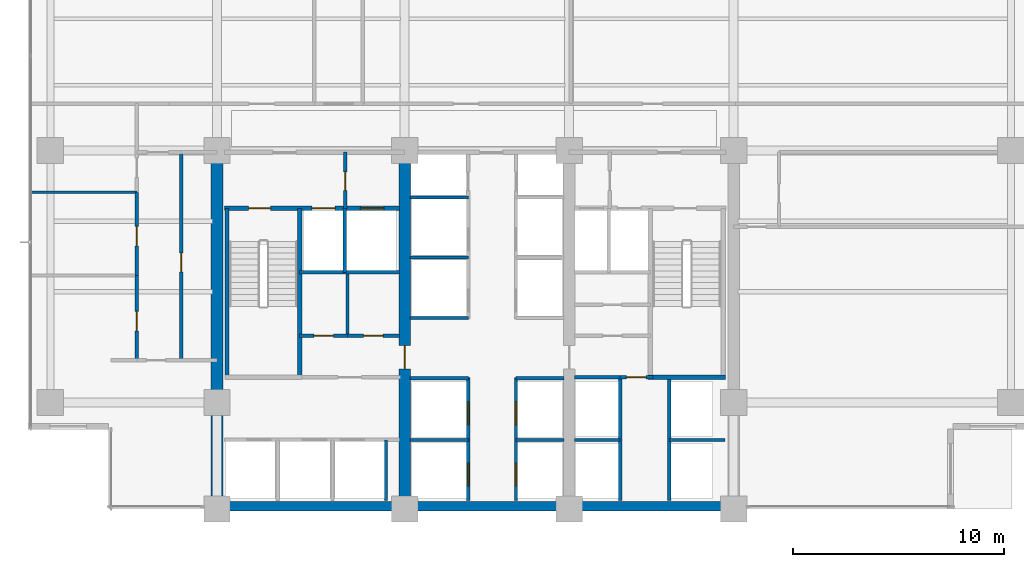
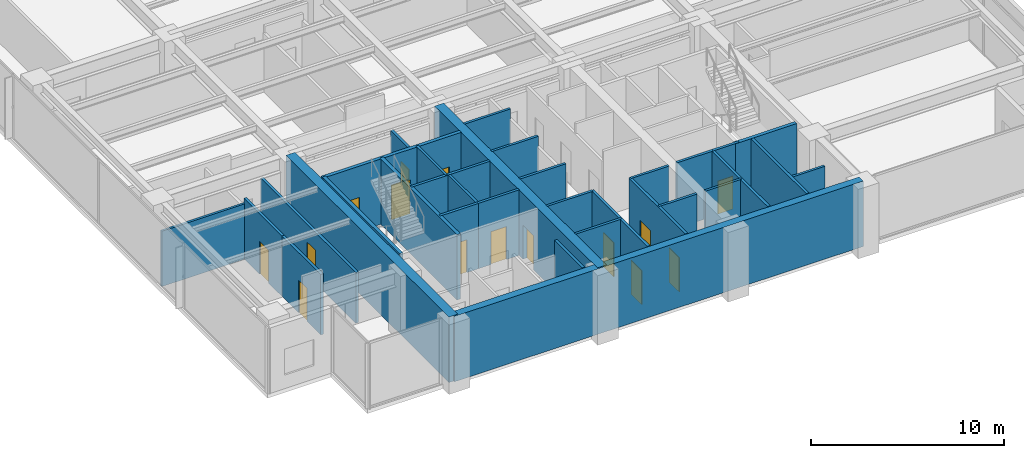
# One storey, part 8 of 16: 33 walls, 15 doors, 15 openings.
"""IFC4 building model written with IfcOpenShell, lengths in metres."""

from ifc_helpers import new_model, si_unit, direction, frame, frame_2d, origin, place, context, subcontext, project, spatial, rectangle, extrude, material, layer, layer_set, type_object, element, fill, save


model = new_model("IFC4")

# Units and contexts
model_context = context("Model", 3, precision=1e-05, world=origin(), true_north=direction((0.0, 1.0)))
body_context = subcontext(model_context, "Body", "Model", "MODEL_VIEW")
ifc_project = project(units=[si_unit("LENGTHUNIT", "METRE"), si_unit("AREAUNIT", "SQUARE_METRE"), si_unit("VOLUMEUNIT", "CUBIC_METRE"), si_unit("PLANEANGLEUNIT", "RADIAN"), si_unit("MASSUNIT", "GRAM", prefix="KILO")], contexts=[model_context])

# Site, building, storey
site_placement = place(None, origin())
site = spatial("IfcSite", under=ifc_project, at=site_placement, CompositionType="ELEMENT")
building_placement = place(site_placement, origin())
building = spatial("IfcBuilding", under=site, at=building_placement, Name="Qalmaran Belvedere Hotel", CompositionType="ELEMENT")
storey_placement = place(building_placement, frame((0.0, 0.0, 83.800048828125)))
storey = spatial("IfcBuildingStorey", under=building, at=storey_placement, Name="L20", CompositionType="ELEMENT", Elevation=83.800048828125)

# Wall
ifc_material_1 = material(Name="Concrete C60/75", Category="concrete")
ifc_layer_1 = layer(ifc_material_1, 0.550048828125, Name="Concrete C60/75")
ifc_layer_set_1 = layer_set([ifc_layer_1], Name="Concrete C60/75")
wall_type_1 = type_object("IfcWallType", Name="WL-CORE-550-C60", PredefinedType="SHEAR", material=ifc_layer_set_1)
wall_1_placement = place(storey_placement, frame((20.300048828125, 3.5, 0.0), z_axis=(0.0, 0.0, 1.0), x_axis=(0.0, 1.0, 0.0)))
element("IfcWall", 1, at=wall_1_placement, inside=storey, type_object=wall_type_1, Name="L20 West Core Shear Wall", PredefinedType="SHEAR", context=body_context, shape_type="SweptSolid", body=[
    extrude(rectangle(XDim=16.89990234375, YDim=0.550048828125, at=frame_2d((8.449951171875, 0.0))), origin(), (0.0, 0.0, 1.0), 4.139892578125),
])

# Wall, opening, door
wall_2_placement = place(storey_placement, frame((29.199951171875, 3.5, 0.0), z_axis=(0.0, 0.0, 1.0), x_axis=(0.0, 1.0, 0.0)))
wall_2 = element("IfcWall", 2, at=wall_2_placement, inside=storey, type_object=wall_type_1, Name="L20 Core West Spine Shear Wall", PredefinedType="SHEAR", context=body_context, shape_type="SweptSolid", body=[
    extrude(rectangle(XDim=16.89990234375, YDim=0.550048828125, at=frame_2d((8.449951171875, 0.0))), origin(), (0.0, 0.0, 1.0), 4.139892578125),
])
opening_1_placement = place(wall_2_placement, frame((7.75, 0.0, 0.0), z_axis=(0.0, 0.0, 1.0), x_axis=(-1.0, 0.0, 0.0)))
opening_1 = element("IfcOpeningElement", 3, at=opening_1_placement, cuts=wall_2, Name="Opening FD90", PredefinedType="OPENING", context=body_context, shape_type="SweptSolid", body=[
    extrude(rectangle(XDim=1.10009765625, YDim=2.14990234375, at=frame_2d((0.550048828125, 1.074951171875))), frame((0.0, 0.28515625, 0.0), z_axis=(0.0, -1.0, 0.0), x_axis=(1.0, 0.0, 0.0)), (0.0, 0.0, 1.0), 0.570068359375),
])
ifc_material_2 = material(Name="Steel S355JR", Category="steel")
door_type_1 = type_object("IfcDoorType", Name="DR-FD90-1100X2150", OperationType="NOTDEFINED", PredefinedType="DOOR", material=ifc_material_2)
door_1_placement = place(opening_1_placement, origin())
door_1 = element("IfcDoor", 4, at=door_1_placement, inside=storey, type_object=door_type_1, Name="L20 Core West Cross-Lobby Door", OperationType="SINGLE_SWING_RIGHT", OverallHeight=2.14990234375, OverallWidth=1.10009765625, PredefinedType="DOOR", context=body_context, shape_type="SweptSolid", body=[
    extrude(rectangle(XDim=1.10009765625, YDim=2.14990234375, at=frame_2d((0.550048828125, 1.074951171875))), frame((0.0, 0.02490234375, 0.0), z_axis=(0.0, -1.0, 0.0), x_axis=(1.0, 0.0, 0.0)), (0.0, 0.0, 1.0), 0.050048828125),
])
fill(opening_1, door_1)

# Walls
ifc_material_3 = material(Name="Concrete C50/60", Category="concrete")
ifc_layer_2 = layer(ifc_material_3, 0.43994140625, Name="Concrete C50/60")
ifc_layer_set_2 = layer_set([ifc_layer_2], Name="Concrete C50/60")
wall_type_2 = type_object("IfcWallType", Name="WL-CORES-440-EXT", PredefinedType="SHEAR", material=ifc_layer_set_2)
wall_3_placement = place(storey_placement, frame((20.300048828125, 3.6298828125, 0.0), z_axis=(0.0, 0.0, 1.0), x_axis=(1.0, 0.0, 0.0)))
element("IfcWall", 5, at=wall_3_placement, inside=storey, type_object=wall_type_2, Name="L20 South Core Shear Wall", PredefinedType="SHEAR", context=body_context, shape_type="SweptSolid", body=[
    extrude(rectangle(XDim=24.5, YDim=0.43994140625, at=frame_2d((12.25, 0.0))), origin(), (0.0, 0.0, 1.0), 4.139892578125),
])
ifc_material_4 = material(Name="Gypsum Stud Partition")
ifc_layer_3 = layer(ifc_material_4, 0.139892578125, Name="Gypsum Stud Partition")
ifc_layer_set_3 = layer_set([ifc_layer_3], Name="Gypsum Stud Partition")
wall_type_3 = type_object("IfcWallType", Name="WL-INT-140-NR", PredefinedType="PARTITIONING", material=ifc_layer_set_3)
wall_4_placement = place(storey_placement, frame((11.469970703125, 18.52001953125, 0.0), z_axis=(0.0, 0.0, 1.0), x_axis=(1.0, 0.0, 0.0)))
element("IfcWall", 6, at=wall_4_placement, inside=storey, type_object=wall_type_3, Name="L20 Partition WL-L20-WC2", PredefinedType="PARTITIONING", context=body_context, shape_type="SweptSolid", body=[
    extrude(rectangle(XDim=5.030029296875, YDim=0.139892578125, at=frame_2d((2.51513671875, 0.0))), origin(), (0.0, 0.0, 1.0), 3.5029296875),
])
ifc_layer_4 = layer(ifc_material_4, 0.14990234375, Name="Gypsum Stud Partition")
ifc_layer_set_4 = layer_set([ifc_layer_4], Name="Gypsum Stud Partition")
wall_type_4 = type_object("IfcWallType", Name="WL-INT-150-EI120", PredefinedType="PARTITIONING", material=ifc_layer_set_4)
wall_5_placement = place(storey_placement, frame((26.360107421875, 14.719970703125, 0.0), z_axis=(0.0, 0.0, 1.0), x_axis=(0.0, 1.0, 0.0)))
element("IfcWall", 7, at=wall_5_placement, inside=storey, type_object=wall_type_4, Name="L20 Partition WL-FF1M-L20", PredefinedType="PARTITIONING", context=body_context, shape_type="SweptSolid", body=[
    extrude(rectangle(XDim=3.0400390625, YDim=0.14990234375, at=frame_2d((1.52001953125, 0.0))), origin(), (0.0, 0.0, 1.0), 4.139892578125),
])
wall_6_placement = place(storey_placement, frame((28.320068359375, 3.89990234375, 0.0), z_axis=(0.0, 0.0, 1.0), x_axis=(0.0, 1.0, 0.0)))
element("IfcWall", 8, at=wall_6_placement, inside=storey, type_object=wall_type_4, Name="L20 Partition WL-POM3-L20", PredefinedType="PARTITIONING", context=body_context, shape_type="SweptSolid", body=[
    extrude(rectangle(XDim=2.880126953125, YDim=0.14990234375, at=frame_2d((1.43994140625, 0.0))), origin(), (0.0, 0.0, 1.0), 4.139892578125),
])
wall_7_placement = place(storey_placement, frame((37.25, 6.780029296875, 0.0), z_axis=(0.0, 0.0, 1.0), x_axis=(1.0, 0.0, 0.0)))
element("IfcWall", 9, at=wall_7_placement, inside=storey, type_object=wall_type_4, Name="L20 Partition WL-PHMW-L20", PredefinedType="PARTITIONING", context=body_context, shape_type="SweptSolid", body=[
    extrude(rectangle(XDim=2.169921875, YDim=0.14990234375, at=frame_2d((1.0849609375, 0.0))), origin(), (0.0, 0.0, 1.0), 4.139892578125),
])
wall_8_placement = place(storey_placement, frame((41.739990234375, 6.780029296875, 0.0), z_axis=(0.0, 0.0, 1.0), x_axis=(1.0, 0.0, 0.0)))
element("IfcWall", 10, at=wall_8_placement, inside=storey, type_object=wall_type_4, Name="L20 Partition WL-PHME-L20", PredefinedType="PARTITIONING", context=body_context, shape_type="SweptSolid", body=[
    extrude(rectangle(XDim=2.659912109375, YDim=0.14990234375, at=frame_2d((1.330078125, 0.0))), origin(), (0.0, 0.0, 1.0), 3.212890625),
])
wall_9_placement = place(storey_placement, frame((29.449951171875, 6.780029296875, 0.0), z_axis=(0.0, 0.0, 1.0), x_axis=(1.0, 0.0, 0.0)))
element("IfcWall", 11, at=wall_9_placement, inside=storey, type_object=wall_type_4, Name="L20 Partition WL-PLW-L20-67", PredefinedType="PARTITIONING", context=body_context, shape_type="SweptSolid", body=[
    extrude(rectangle(XDim=2.77001953125, YDim=0.14990234375, at=frame_2d((1.385009765625, 0.0))), origin(), (0.0, 0.0, 1.0), 4.139892578125),
])
wall_10_placement = place(storey_placement, frame((34.47998046875, 6.780029296875, 0.0), z_axis=(0.0, 0.0, 1.0), x_axis=(1.0, 0.0, 0.0)))
element("IfcWall", 12, at=wall_10_placement, inside=storey, type_object=wall_type_4, Name="L20 Partition WL-PLE-L20-67", PredefinedType="PARTITIONING", context=body_context, shape_type="SweptSolid", body=[
    extrude(rectangle(XDim=2.27001953125, YDim=0.14990234375, at=frame_2d((1.135009765625, 0.0))), origin(), (0.0, 0.0, 1.0), 4.139892578125),
])
wall_11_placement = place(storey_placement, frame((29.449951171875, 9.699951171875, 0.0), z_axis=(0.0, 0.0, 1.0), x_axis=(1.0, 0.0, 0.0)))
element("IfcWall", 13, at=wall_11_placement, inside=storey, type_object=wall_type_4, Name="L20 Partition WL-PLW-L20-97", PredefinedType="PARTITIONING", context=body_context, shape_type="SweptSolid", body=[
    extrude(rectangle(XDim=2.77001953125, YDim=0.14990234375, at=frame_2d((1.385009765625, 0.0))), origin(), (0.0, 0.0, 1.0), 4.139892578125),
])
wall_12_placement = place(storey_placement, frame((34.47998046875, 9.699951171875, 0.0), z_axis=(0.0, 0.0, 1.0), x_axis=(1.0, 0.0, 0.0)))
element("IfcWall", 14, at=wall_12_placement, inside=storey, type_object=wall_type_4, Name="L20 Partition WL-PLE-L20-97", PredefinedType="PARTITIONING", context=body_context, shape_type="SweptSolid", body=[
    extrude(rectangle(XDim=2.27001953125, YDim=0.14990234375, at=frame_2d((1.135009765625, 0.0))), origin(), (0.0, 0.0, 1.0), 4.139892578125),
])
for number, where, z_axis, x_axis, name in (
    (15, (29.449951171875, 12.550048828125, 0.0), (0.0, 0.0, 1.0), (1.0, 0.0, 0.0), "L20 Partition WL-PMW-L20-125"),
    (16, (29.449951171875, 15.419921875, 0.0), (0.0, 0.0, 1.0), (1.0, 0.0, 0.0), "L20 Partition WL-PMW-L20-154"),
    (17, (29.449951171875, 18.280029296875, 0.0), (0.0, 0.0, 1.0), (1.0, 0.0, 0.0), "L20 Partition WL-PMW-L20-182"),
):
    element("IfcWall", number, at=place(storey_placement, frame(where, z_axis=z_axis, x_axis=x_axis)), inside=storey, type_object=wall_type_4, Name=name, PredefinedType="PARTITIONING", context=body_context, shape_type="SweptSolid", body=[
        extrude(rectangle(XDim=2.77001953125, YDim=0.14990234375, at=frame_2d((1.385009765625, 0.0))), origin(), (0.0, 0.0, 1.0), 4.139892578125),
    ])
ifc_layer_5 = layer(ifc_material_4, 0.14990234375, Name="Gypsum Stud Partition")
ifc_layer_set_5 = layer_set([ifc_layer_5], Name="Gypsum Stud Partition")
wall_type_5 = type_object("IfcWallType", Name="WL-INT-150-EI60", PredefinedType="PARTITIONING", material=ifc_layer_set_5)
wall_13_placement = place(storey_placement, frame((26.490478515625, 11.719970703125, 0.0), z_axis=(0.0, 0.0, 1.0), x_axis=(0.0, 1.0, 0.0)))
element("IfcWall", 18, at=wall_13_placement, inside=storey, type_object=wall_type_5, Name="L20 Partition WL-L20-KWV1", PredefinedType="PARTITIONING", context=body_context, shape_type="SweptSolid", body=[
    extrude(rectangle(XDim=2.929931640625, YDim=0.14990234375, at=frame_2d((1.46484375, 0.0))), origin(), (0.0, 0.0, 1.0), 4.139892578125),
])

# Wall, opening, door
ifc_layer_6 = layer(ifc_material_4, 0.159912109375, Name="Gypsum Stud Partition")
ifc_layer_set_6 = layer_set([ifc_layer_6], Name="Gypsum Stud Partition")
wall_type_6 = type_object("IfcWallType", Name="WL-INT-160-EI120", PredefinedType="PARTITIONING", material=ifc_layer_set_6)
wall_14_placement = place(storey_placement, frame((26.3798828125, 17.760009765625, 0.0), z_axis=(0.0, 0.0, 1.0), x_axis=(0.0, 1.0, 0.0)))
wall_14 = element("IfcWall", 19, at=wall_14_placement, inside=storey, type_object=wall_type_6, Name="L20 Partition WL-FFSV1-L20", PredefinedType="PARTITIONING", context=body_context, shape_type="SweptSolid", body=[
    extrude(rectangle(XDim=2.659912109375, YDim=0.159912109375, at=frame_2d((1.330078125, 0.0))), origin(), (0.0, 0.0, 1.0), 3.513916015625),
])
opening_2_placement = place(wall_14_placement, frame((0.85009765625, 0.0, 0.0)))
opening_2 = element("IfcOpeningElement", 20, at=opening_2_placement, cuts=wall_14, Name="Opening FD60B", PredefinedType="OPENING", context=body_context, shape_type="SweptSolid", body=[
    extrude(rectangle(XDim=0.8798828125, YDim=2.080078125, at=frame_2d((0.43994140625, 1.0400390625))), frame((0.0, 0.08984375, 0.0), z_axis=(0.0, -1.0, 0.0), x_axis=(1.0, 0.0, 0.0)), (0.0, 0.0, 1.0), 0.179931640625),
])
door_type_2 = type_object("IfcDoorType", Name="DR-FD60B-880X2080", OperationType="NOTDEFINED", PredefinedType="DOOR", material=ifc_material_2)
door_2_placement = place(opening_2_placement, origin())
door_2 = element("IfcDoor", 21, at=door_2_placement, inside=storey, type_object=door_type_2, Name="L20 Service Lobby West Door", OperationType="SINGLE_SWING_RIGHT", OverallHeight=2.080078125, OverallWidth=0.8798828125, PredefinedType="DOOR", context=body_context, shape_type="SweptSolid", body=[
    extrude(rectangle(XDim=0.8798828125, YDim=2.080078125, at=frame_2d((0.43994140625, 1.0400390625))), frame((0.0, 0.02490234375, 0.0), z_axis=(0.0, -1.0, 0.0), x_axis=(1.0, 0.0, 0.0)), (0.0, 0.0, 1.0), 0.050048828125),
])
fill(opening_2, door_2)

# Walls
wall_15_placement = place(storey_placement, frame((24.219970703125, 14.719970703125, 0.0), z_axis=(0.0, 0.0, 1.0), x_axis=(1.0, 0.0, 0.0)))
element("IfcWall", 22, at=wall_15_placement, inside=storey, type_object=wall_type_6, Name="L20 Partition WL-FF1S-L20", PredefinedType="PARTITIONING", context=body_context, shape_type="SweptSolid", body=[
    extrude(rectangle(XDim=4.72998046875, YDim=0.159912109375, at=frame_2d((2.364990234375, 0.0))), origin(), (0.0, 0.0, 1.0), 4.139892578125),
])
for number, where, z_axis, x_axis, name in (
    (23, (39.419921875, 3.89990234375, 0.0), (0.0, 0.0, 1.0), (0.0, 1.0, 0.0), "L20 Partition WL-PHW-L20"),
    (24, (41.739990234375, 3.89990234375, 0.0), (0.0, 0.0, 1.0), (0.0, 1.0, 0.0), "L20 Partition WL-PHE-L20"),
):
    element("IfcWall", number, at=place(storey_placement, frame(where, z_axis=z_axis, x_axis=x_axis)), inside=storey, type_object=wall_type_6, Name=name, PredefinedType="PARTITIONING", context=body_context, shape_type="SweptSolid", body=[
        extrude(rectangle(XDim=5.840087890625, YDim=0.159912109375, at=frame_2d((2.919921875, 0.0))), origin(), (0.0, 0.0, 1.0), 4.139892578125),
    ])
wall_16_placement = place(storey_placement, frame((37.25, 9.739990234375, 0.0), z_axis=(0.0, 0.0, 1.0), x_axis=(1.0, 0.0, 0.0)))
element("IfcWall", 25, at=wall_16_placement, inside=storey, type_object=wall_type_6, Name="L20 Partition WL-PHNW-L20", PredefinedType="PARTITIONING", context=body_context, shape_type="SweptSolid", body=[
    extrude(rectangle(XDim=2.169921875, YDim=0.159912109375, at=frame_2d((1.0849609375, 0.0))), origin(), (0.0, 0.0, 1.0), 4.139892578125),
])

# Wall, opening, door
wall_17_placement = place(storey_placement, frame((39.419921875, 9.739990234375, 0.0), z_axis=(0.0, 0.0, 1.0), x_axis=(1.0, 0.0, 0.0)))
wall_17 = element("IfcWall", 26, at=wall_17_placement, inside=storey, type_object=wall_type_6, Name="L20 Partition WL-PHNL-L20", PredefinedType="PARTITIONING", context=body_context, shape_type="SweptSolid", body=[
    extrude(rectangle(XDim=1.56005859375, YDim=0.159912109375, at=frame_2d((0.780029296875, 0.0))), origin(), (0.0, 0.0, 1.0), 4.139892578125),
])
opening_3_placement = place(wall_17_placement, frame((0.300048828125, 0.0, 0.0)))
opening_3 = element("IfcOpeningElement", 27, at=opening_3_placement, cuts=wall_17, Name="Opening FD60S1", PredefinedType="OPENING", context=body_context, shape_type="SweptSolid", body=[
    extrude(rectangle(XDim=0.919921875, YDim=2.080078125, at=frame_2d((0.4599609375, 1.0400390625))), frame((0.0, 0.08984375, 0.0), z_axis=(0.0, -1.0, 0.0), x_axis=(1.0, 0.0, 0.0)), (0.0, 0.0, 1.0), 0.179931640625),
])
ifc_material_5 = material(Name="Engineered Oak Veneer")
door_type_3 = type_object("IfcDoorType", Name="DR-FD60S-920X2080", OperationType="NOTDEFINED", PredefinedType="DOOR", material=ifc_material_5)
door_3_placement = place(opening_3_placement, origin())
door_3 = element("IfcDoor", 28, at=door_3_placement, inside=storey, type_object=door_type_3, Name="L20 High-Rise Lift Lobby Passage Door", OperationType="SINGLE_SWING_RIGHT", OverallHeight=2.080078125, OverallWidth=0.919921875, PredefinedType="DOOR", context=body_context, shape_type="SweptSolid", body=[
    extrude(rectangle(XDim=0.919921875, YDim=2.080078125, at=frame_2d((0.4599609375, 1.0400390625))), frame((0.0, 0.02490234375, 0.0), z_axis=(0.0, -1.0, 0.0), x_axis=(1.0, 0.0, 0.0)), (0.0, 0.0, 1.0), 0.050048828125),
])
fill(opening_3, door_3)

# Wall, openings, doors
wall_18_placement = place(storey_placement, frame((32.219970703125, 3.89990234375, 0.0), z_axis=(0.0, 0.0, 1.0), x_axis=(0.0, 1.0, 0.0)))
wall_18 = element("IfcWall", 29, at=wall_18_placement, inside=storey, type_object=wall_type_6, Name="L20 Partition WL-CLBWS-L20", PredefinedType="PARTITIONING", context=body_context, shape_type="SweptSolid", body=[
    extrude(rectangle(XDim=5.840087890625, YDim=0.159912109375, at=frame_2d((2.919921875, 0.0))), origin(), (0.0, 0.0, 1.0), 4.139892578125),
])
opening_4_placement = place(wall_18_placement, frame((1.780029296875, 0.0, 0.0), z_axis=(0.0, 0.0, 1.0), x_axis=(-1.0, 0.0, 0.0)))
opening_4 = element("IfcOpeningElement", 30, at=opening_4_placement, cuts=wall_18, Name="Opening LD-P1", PredefinedType="OPENING", context=body_context, shape_type="SweptSolid", body=[
    extrude(rectangle(XDim=1.080078125, YDim=2.159912109375, at=frame_2d((0.5400390625, 1.080078125))), frame((0.0, 0.08984375, 0.0), z_axis=(0.0, -1.0, 0.0), x_axis=(1.0, 0.0, 0.0)), (0.0, 0.0, 1.0), 0.179931640625),
])
opening_5_placement = place(wall_18_placement, frame((4.68017578125, 0.0, 0.0), z_axis=(0.0, 0.0, 1.0), x_axis=(-1.0, 0.0, 0.0)))
opening_5 = element("IfcOpeningElement", 31, at=opening_5_placement, cuts=wall_18, Name="Opening LD-P1", PredefinedType="OPENING", context=body_context, shape_type="SweptSolid", body=[
    extrude(rectangle(XDim=1.080078125, YDim=2.159912109375, at=frame_2d((0.5400390625, 1.080078125))), frame((0.0, 0.08984375, 0.0), z_axis=(0.0, -1.0, 0.0), x_axis=(1.0, 0.0, 0.0)), (0.0, 0.0, 1.0), 0.179931640625),
])
ifc_material_6 = material(Name="Stainless Steel 1.4401", Category="steel")
door_type_4 = type_object("IfcDoorType", Name="DR-LIFT-P1-1080X2160", OperationType="DOUBLE_DOOR_SLIDING", PredefinedType="DOOR", material=ifc_material_6)
door_4_placement = place(opening_4_placement, origin())
door_4 = element("IfcDoor", 32, at=door_4_placement, inside=storey, type_object=door_type_4, Name="L20 PL1 Lift Landing Door", OperationType="DOUBLE_DOOR_SLIDING", OverallHeight=2.159912109375, OverallWidth=1.080078125, PredefinedType="DOOR", context=body_context, shape_type="SweptSolid", body=[
    extrude(rectangle(XDim=1.080078125, YDim=2.159912109375, at=frame_2d((0.5400390625, 1.080078125))), frame((0.0, 0.02490234375, 0.0), z_axis=(0.0, -1.0, 0.0), x_axis=(1.0, 0.0, 0.0)), (0.0, 0.0, 1.0), 0.050048828125),
])
fill(opening_4, door_4)
door_5_placement = place(opening_5_placement, origin())
door_5 = element("IfcDoor", 33, at=door_5_placement, inside=storey, type_object=door_type_4, Name="L20 PL2 Lift Landing Door", OperationType="DOUBLE_DOOR_SLIDING", OverallHeight=2.159912109375, OverallWidth=1.080078125, PredefinedType="DOOR", context=body_context, shape_type="SweptSolid", body=[
    extrude(rectangle(XDim=1.080078125, YDim=2.159912109375, at=frame_2d((0.5400390625, 1.080078125))), frame((0.0, 0.02490234375, 0.0), z_axis=(0.0, -1.0, 0.0), x_axis=(1.0, 0.0, 0.0)), (0.0, 0.0, 1.0), 0.050048828125),
])
fill(opening_5, door_5)

wall_19_placement = place(storey_placement, frame((34.47998046875, 3.89990234375, 0.0), z_axis=(0.0, 0.0, 1.0), x_axis=(0.0, 1.0, 0.0)))
wall_19 = element("IfcWall", 34, at=wall_19_placement, inside=storey, type_object=wall_type_6, Name="L20 Partition WL-CLBES-L20", PredefinedType="PARTITIONING", context=body_context, shape_type="SweptSolid", body=[
    extrude(rectangle(XDim=5.840087890625, YDim=0.159912109375, at=frame_2d((2.919921875, 0.0))), origin(), (0.0, 0.0, 1.0), 4.139892578125),
])
opening_6_placement = place(wall_19_placement, frame((0.699951171875, 0.0, 0.0)))
opening_6 = element("IfcOpeningElement", 35, at=opening_6_placement, cuts=wall_19, Name="Opening LD-P1", PredefinedType="OPENING", context=body_context, shape_type="SweptSolid", body=[
    extrude(rectangle(XDim=1.080078125, YDim=2.159912109375, at=frame_2d((0.5400390625, 1.080078125))), frame((0.0, 0.08984375, 0.0), z_axis=(0.0, -1.0, 0.0), x_axis=(1.0, 0.0, 0.0)), (0.0, 0.0, 1.0), 0.179931640625),
])
opening_7_placement = place(wall_19_placement, frame((3.60009765625, 0.0, 0.0)))
opening_7 = element("IfcOpeningElement", 36, at=opening_7_placement, cuts=wall_19, Name="Opening LD-P1", PredefinedType="OPENING", context=body_context, shape_type="SweptSolid", body=[
    extrude(rectangle(XDim=1.080078125, YDim=2.159912109375, at=frame_2d((0.5400390625, 1.080078125))), frame((0.0, 0.08984375, 0.0), z_axis=(0.0, -1.0, 0.0), x_axis=(1.0, 0.0, 0.0)), (0.0, 0.0, 1.0), 0.179931640625),
])
door_6_placement = place(opening_6_placement, origin())
door_6 = element("IfcDoor", 37, at=door_6_placement, inside=storey, type_object=door_type_4, Name="L20 PL3 Lift Landing Door", OperationType="DOUBLE_DOOR_SLIDING", OverallHeight=2.159912109375, OverallWidth=1.080078125, PredefinedType="DOOR", context=body_context, shape_type="SweptSolid", body=[
    extrude(rectangle(XDim=1.080078125, YDim=2.159912109375, at=frame_2d((0.5400390625, 1.080078125))), frame((0.0, 0.02490234375, 0.0), z_axis=(0.0, -1.0, 0.0), x_axis=(1.0, 0.0, 0.0)), (0.0, 0.0, 1.0), 0.050048828125),
])
fill(opening_6, door_6)
door_7_placement = place(opening_7_placement, origin())
door_7 = element("IfcDoor", 38, at=door_7_placement, inside=storey, type_object=door_type_4, Name="L20 PL4 Lift Landing Door", OperationType="DOUBLE_DOOR_SLIDING", OverallHeight=2.159912109375, OverallWidth=1.080078125, PredefinedType="DOOR", context=body_context, shape_type="SweptSolid", body=[
    extrude(rectangle(XDim=1.080078125, YDim=2.159912109375, at=frame_2d((0.5400390625, 1.080078125))), frame((0.0, 0.02490234375, 0.0), z_axis=(0.0, -1.0, 0.0), x_axis=(1.0, 0.0, 0.0)), (0.0, 0.0, 1.0), 0.050048828125),
])
fill(opening_7, door_7)

# Wall, opening, door
ifc_layer_7 = layer(ifc_material_4, 0.159912109375, Name="Gypsum Stud Partition")
ifc_layer_set_7 = layer_set([ifc_layer_7], Name="Gypsum Stud Partition")
wall_type_7 = type_object("IfcWallType", Name="WL-INT-160-EI60", PredefinedType="PARTITIONING", material=ifc_layer_set_7)
wall_20_placement = place(storey_placement, frame((24.219970703125, 11.719970703125, 0.0), z_axis=(0.0, 0.0, 1.0), x_axis=(1.0, 0.0, 0.0)))
wall_20 = element("IfcWall", 39, at=wall_20_placement, inside=storey, type_object=wall_type_7, Name="L20 Partition WL-L20-KWE1", PredefinedType="PARTITIONING", context=body_context, shape_type="SweptSolid", body=[
    extrude(rectangle(XDim=2.2705078125, YDim=0.159912109375, at=frame_2d((1.13525390625, 0.0))), origin(), (0.0, 0.0, 1.0), 4.139892578125),
])
opening_8_placement = place(wall_20_placement, frame((0.67529296875, 0.0, 0.0)))
opening_8 = element("IfcOpeningElement", 40, at=opening_8_placement, cuts=wall_20, Name="Opening FD60S1", PredefinedType="OPENING", context=body_context, shape_type="SweptSolid", body=[
    extrude(rectangle(XDim=0.919921875, YDim=2.080078125, at=frame_2d((0.4599609375, 1.0400390625))), frame((0.0, 0.08984375, 0.0), z_axis=(0.0, -1.0, 0.0), x_axis=(1.0, 0.0, 0.0)), (0.0, 0.0, 1.0), 0.179931640625),
])
door_8_placement = place(opening_8_placement, origin())
door_8 = element("IfcDoor", 41, at=door_8_placement, inside=storey, type_object=door_type_3, Name="L20 Telecom and IT Room Door", OperationType="SINGLE_SWING_LEFT", OverallHeight=2.080078125, OverallWidth=0.919921875, PredefinedType="DOOR", context=body_context, shape_type="SweptSolid", body=[
    extrude(rectangle(XDim=0.919921875, YDim=2.080078125, at=frame_2d((0.4599609375, 1.0400390625))), frame((0.0, 0.02490234375, 0.0), z_axis=(0.0, -1.0, 0.0), x_axis=(1.0, 0.0, 0.0)), (0.0, 0.0, 1.0), 0.050048828125),
])
fill(opening_8, door_8)

wall_21_placement = place(storey_placement, frame((26.490478515625, 11.719970703125, 0.0), z_axis=(0.0, 0.0, 1.0), x_axis=(1.0, 0.0, 0.0)))
wall_21 = element("IfcWall", 42, at=wall_21_placement, inside=storey, type_object=wall_type_7, Name="L20 Partition WL-L20-KWE2", PredefinedType="PARTITIONING", context=body_context, shape_type="SweptSolid", body=[
    extrude(rectangle(XDim=2.45947265625, YDim=0.159912109375, at=frame_2d((1.229736328125, 0.0))), origin(), (0.0, 0.0, 1.0), 4.139892578125),
])
opening_9_placement = place(wall_21_placement, frame((0.769775390625, 0.0, 0.0)))
opening_9 = element("IfcOpeningElement", 43, at=opening_9_placement, cuts=wall_21, Name="Opening FD60S1", PredefinedType="OPENING", context=body_context, shape_type="SweptSolid", body=[
    extrude(rectangle(XDim=0.919921875, YDim=2.080078125, at=frame_2d((0.4599609375, 1.0400390625))), frame((0.0, 0.08984375, 0.0), z_axis=(0.0, -1.0, 0.0), x_axis=(1.0, 0.0, 0.0)), (0.0, 0.0, 1.0), 0.179931640625),
])
door_9_placement = place(opening_9_placement, origin())
door_9 = element("IfcDoor", 44, at=door_9_placement, inside=storey, type_object=door_type_3, Name="L20 Cleaner Supply Store Door", OperationType="SINGLE_SWING_RIGHT", OverallHeight=2.080078125, OverallWidth=0.919921875, PredefinedType="DOOR", context=body_context, shape_type="SweptSolid", body=[
    extrude(rectangle(XDim=0.919921875, YDim=2.080078125, at=frame_2d((0.4599609375, 1.0400390625))), frame((0.0, 0.02490234375, 0.0), z_axis=(0.0, -1.0, 0.0), x_axis=(1.0, 0.0, 0.0)), (0.0, 0.0, 1.0), 0.050048828125),
])
fill(opening_9, door_9)

wall_22_placement = place(storey_placement, frame((16.5, 10.550048828125, 0.0), z_axis=(0.0, 0.0, 1.0), x_axis=(0.0, 1.0, 0.0)))
wall_22 = element("IfcWall", 45, at=wall_22_placement, inside=storey, type_object=wall_type_7, Name="L20 Partition WL-L20-WCC1", PredefinedType="PARTITIONING", context=body_context, shape_type="SweptSolid", body=[
    extrude(rectangle(XDim=4.030029296875, YDim=0.159912109375, at=frame_2d((2.01513671875, 0.0))), origin(), (0.0, 0.0, 1.0), 3.822021484375),
])
opening_10_placement = place(wall_22_placement, frame((1.39990234375, 0.0, 0.0)))
opening_10 = element("IfcOpeningElement", 46, at=opening_10_placement, cuts=wall_22, Name="Opening FD60S1", PredefinedType="OPENING", context=body_context, shape_type="SweptSolid", body=[
    extrude(rectangle(XDim=0.919921875, YDim=2.080078125, at=frame_2d((0.4599609375, 1.0400390625))), frame((0.0, 0.08984375, 0.0), z_axis=(0.0, -1.0, 0.0), x_axis=(1.0, 0.0, 0.0)), (0.0, 0.0, 1.0), 0.179931640625),
])
door_10_placement = place(opening_10_placement, origin())
door_10 = element("IfcDoor", 47, at=door_10_placement, inside=storey, type_object=door_type_3, Name="L20 Male WC Door", OperationType="SINGLE_SWING_RIGHT", OverallHeight=2.080078125, OverallWidth=0.919921875, PredefinedType="DOOR", context=body_context, shape_type="SweptSolid", body=[
    extrude(rectangle(XDim=0.919921875, YDim=2.080078125, at=frame_2d((0.4599609375, 1.0400390625))), frame((0.0, 0.02490234375, 0.0), z_axis=(0.0, -1.0, 0.0), x_axis=(1.0, 0.0, 0.0)), (0.0, 0.0, 1.0), 0.050048828125),
])
fill(opening_10, door_10)

wall_23_placement = place(storey_placement, frame((16.5, 14.580078125, 0.0), z_axis=(0.0, 0.0, 1.0), x_axis=(0.0, 1.0, 0.0)))
wall_23 = element("IfcWall", 48, at=wall_23_placement, inside=storey, type_object=wall_type_7, Name="L20 Partition WL-L20-WCC2", PredefinedType="PARTITIONING", context=body_context, shape_type="SweptSolid", body=[
    extrude(rectangle(XDim=3.93994140625, YDim=0.159912109375, at=frame_2d((1.969970703125, 0.0))), origin(), (0.0, 0.0, 1.0), 3.822021484375),
])
opening_11_placement = place(wall_23_placement, frame((1.39990234375, 0.0, 0.0)))
opening_11 = element("IfcOpeningElement", 49, at=opening_11_placement, cuts=wall_23, Name="Opening FD60S1", PredefinedType="OPENING", context=body_context, shape_type="SweptSolid", body=[
    extrude(rectangle(XDim=0.919921875, YDim=2.080078125, at=frame_2d((0.4599609375, 1.0400390625))), frame((0.0, 0.08984375, 0.0), z_axis=(0.0, -1.0, 0.0), x_axis=(1.0, 0.0, 0.0)), (0.0, 0.0, 1.0), 0.179931640625),
])
door_11_placement = place(opening_11_placement, origin())
door_11 = element("IfcDoor", 50, at=door_11_placement, inside=storey, type_object=door_type_3, Name="L20 Female WC Door", OperationType="SINGLE_SWING_LEFT", OverallHeight=2.080078125, OverallWidth=0.919921875, PredefinedType="DOOR", context=body_context, shape_type="SweptSolid", body=[
    extrude(rectangle(XDim=0.919921875, YDim=2.080078125, at=frame_2d((0.4599609375, 1.0400390625))), frame((0.0, 0.02490234375, 0.0), z_axis=(0.0, -1.0, 0.0), x_axis=(1.0, 0.0, 0.0)), (0.0, 0.0, 1.0), 0.050048828125),
])
fill(opening_11, door_11)

wall_24_placement = place(storey_placement, frame((18.60009765625, 10.550048828125, 0.0), z_axis=(0.0, 0.0, 1.0), x_axis=(0.0, 1.0, 0.0)))
wall_24 = element("IfcWall", 51, at=wall_24_placement, inside=storey, type_object=wall_type_7, Name="L20 Partition WL-L20-WCCE", PredefinedType="PARTITIONING", context=body_context, shape_type="SweptSolid", body=[
    extrude(rectangle(XDim=9.869873046875, YDim=0.159912109375, at=frame_2d((4.93505859375, 0.0))), origin(), (0.0, 0.0, 1.0), 3.212890625),
])
opening_12_placement = place(wall_24_placement, frame((5.079833984375, 0.0, 0.0), z_axis=(0.0, 0.0, 1.0), x_axis=(-1.0, 0.0, 0.0)))
opening_12 = element("IfcOpeningElement", 52, at=opening_12_placement, cuts=wall_24, Name="Opening FD60B", PredefinedType="OPENING", context=body_context, shape_type="SweptSolid", body=[
    extrude(rectangle(XDim=0.8798828125, YDim=2.080078125, at=frame_2d((0.43994140625, 1.0400390625))), frame((0.0, 0.08984375, 0.0), z_axis=(0.0, -1.0, 0.0), x_axis=(1.0, 0.0, 0.0)), (0.0, 0.0, 1.0), 0.179931640625),
])
door_12_placement = place(opening_12_placement, origin())
door_12 = element("IfcDoor", 53, at=door_12_placement, inside=storey, type_object=door_type_2, Name="L20 Cloakroom Store Door", OperationType="SINGLE_SWING_LEFT", OverallHeight=2.080078125, OverallWidth=0.8798828125, PredefinedType="DOOR", context=body_context, shape_type="SweptSolid", body=[
    extrude(rectangle(XDim=0.8798828125, YDim=2.080078125, at=frame_2d((0.43994140625, 1.0400390625))), frame((0.0, 0.02490234375, 0.0), z_axis=(0.0, -1.0, 0.0), x_axis=(1.0, 0.0, 0.0)), (0.0, 0.0, 1.0), 0.050048828125),
])
fill(opening_12, door_12)

# Walls
ifc_layer_8 = layer(ifc_material_3, 0.2099609375, Name="Concrete C50/60")
ifc_layer_set_8 = layer_set([ifc_layer_8], Name="Concrete C50/60")
wall_type_8 = type_object("IfcWallType", Name="WL-STAIR-210-C50", PredefinedType="SHEAR", material=ifc_layer_set_8)
for number, where, z_axis, x_axis, name in (
    (54, (20.77490234375, 9.7451171875, 0.0), (0.0, 0.0, 1.0), (0.0, 1.0, 0.0), "L20 Stair ST-1 West Bearing Wall"),
    (55, (24.22509765625, 9.7451171875, 0.0), (0.0, 0.0, 1.0), (0.0, 1.0, 0.0), "L20 Stair ST-1 East Bearing Wall"),
):
    element("IfcWall", number, at=place(storey_placement, frame(where, z_axis=z_axis, x_axis=x_axis)), inside=storey, type_object=wall_type_8, Name=name, PredefinedType="SHEAR", context=body_context, shape_type="SweptSolid", body=[
        extrude(rectangle(XDim=8.009765625, YDim=0.2099609375, at=frame_2d((4.0048828125, 0.0))), origin(), (0.0, 0.0, 1.0), 4.139892578125),
    ])

# Wall, openings, doors
wall_25_placement = place(storey_placement, frame((20.64990234375, 17.7548828125, 0.0), z_axis=(0.0, 0.0, 1.0), x_axis=(1.0, 0.0, 0.0)))
wall_25 = element("IfcWall", 56, at=wall_25_placement, inside=storey, type_object=wall_type_8, Name="L20 West Lobby and Stair ST-1 North Bearing Wall", PredefinedType="SHEAR", context=body_context, shape_type="SweptSolid", body=[
    extrude(rectangle(XDim=8.300048828125, YDim=0.2099609375, at=frame_2d((4.14990234375, 0.0))), origin(), (0.0, 0.0, 1.0), 4.139892578125),
])
opening_13_placement = place(wall_25_placement, frame((2.199951171875, 0.0, 0.0), z_axis=(0.0, 0.0, 1.0), x_axis=(-1.0, 0.0, 0.0)))
opening_13 = element("IfcOpeningElement", 57, at=opening_13_placement, cuts=wall_25, Name="Opening FD90S2", PredefinedType="OPENING", context=body_context, shape_type="SweptSolid", body=[
    extrude(rectangle(XDim=1.050048828125, YDim=2.14990234375, at=frame_2d((0.52490234375, 1.074951171875))), frame((0.0, 0.114990234375, 0.0), z_axis=(0.0, -1.0, 0.0), x_axis=(1.0, 0.0, 0.0)), (0.0, 0.0, 1.0), 0.22998046875),
])
opening_14_placement = place(wall_25_placement, frame((4.14990234375, 0.0, 0.0)))
opening_14 = element("IfcOpeningElement", 58, at=opening_14_placement, cuts=wall_25, Name="Opening LD-FF", PredefinedType="OPENING", context=body_context, shape_type="SweptSolid", body=[
    extrude(rectangle(XDim=1.10009765625, YDim=2.179931640625, at=frame_2d((0.550048828125, 1.08984375))), frame((0.0, 0.114990234375, 0.0), z_axis=(0.0, -1.0, 0.0), x_axis=(1.0, 0.0, 0.0)), (0.0, 0.0, 1.0), 0.22998046875),
])
opening_15_placement = place(wall_25_placement, frame((6.449951171875, 0.0, 0.0)))
opening_15 = element("IfcOpeningElement", 59, at=opening_15_placement, cuts=wall_25, Name="Opening LD-SV", PredefinedType="OPENING", context=body_context, shape_type="SweptSolid", body=[
    extrude(rectangle(XDim=1.1201171875, YDim=2.199951171875, at=frame_2d((0.56005859375, 1.10009765625))), frame((0.0, 0.114990234375, 0.0), z_axis=(0.0, -1.0, 0.0), x_axis=(1.0, 0.0, 0.0)), (0.0, 0.0, 1.0), 0.22998046875),
])
door_type_5 = type_object("IfcDoorType", Name="DR-FD90S-1050X2150", OperationType="NOTDEFINED", PredefinedType="DOOR", material=ifc_material_2)
door_13_placement = place(opening_13_placement, origin())
door_13 = element("IfcDoor", 60, at=door_13_placement, inside=storey, type_object=door_type_5, Name="L20 Stair ST-1 Door", OperationType="SINGLE_SWING_RIGHT", OverallHeight=2.14990234375, OverallWidth=1.050048828125, PredefinedType="DOOR", context=body_context, shape_type="SweptSolid", body=[
    extrude(rectangle(XDim=1.050048828125, YDim=2.14990234375, at=frame_2d((0.52490234375, 1.074951171875))), frame((0.0, 0.02490234375, 0.0), z_axis=(0.0, -1.0, 0.0), x_axis=(1.0, 0.0, 0.0)), (0.0, 0.0, 1.0), 0.050048828125),
])
fill(opening_13, door_13)
door_type_6 = type_object("IfcDoorType", Name="DR-LIFT-FF-1100X2180", OperationType="DOUBLE_DOOR_SLIDING", PredefinedType="DOOR", material=ifc_material_6)
door_14_placement = place(opening_14_placement, origin())
door_14 = element("IfcDoor", 61, at=door_14_placement, inside=storey, type_object=door_type_6, Name="L20 FF1 Lift Landing Door", OperationType="DOUBLE_DOOR_SLIDING", OverallHeight=2.179931640625, OverallWidth=1.10009765625, PredefinedType="DOOR", context=body_context, shape_type="SweptSolid", body=[
    extrude(rectangle(XDim=1.10009765625, YDim=2.179931640625, at=frame_2d((0.550048828125, 1.08984375))), frame((0.0, 0.02490234375, 0.0), z_axis=(0.0, -1.0, 0.0), x_axis=(1.0, 0.0, 0.0)), (0.0, 0.0, 1.0), 0.050048828125),
])
fill(opening_14, door_14)
door_type_7 = type_object("IfcDoorType", Name="DR-LIFT-SV-1120X2200", OperationType="DOUBLE_DOOR_SLIDING", PredefinedType="DOOR", material=ifc_material_6)
door_15_placement = place(opening_15_placement, origin())
door_15 = element("IfcDoor", 62, at=door_15_placement, inside=storey, type_object=door_type_7, Name="L20 SV1 Lift Landing Door", OperationType="DOUBLE_DOOR_SLIDING", OverallHeight=2.199951171875, OverallWidth=1.1201171875, PredefinedType="DOOR", context=body_context, shape_type="SweptSolid", body=[
    extrude(rectangle(XDim=1.1201171875, YDim=2.199951171875, at=frame_2d((0.56005859375, 1.10009765625))), frame((0.0, 0.02490234375, 0.0), z_axis=(0.0, -1.0, 0.0), x_axis=(1.0, 0.0, 0.0)), (0.0, 0.0, 1.0), 0.050048828125),
])
fill(opening_15, door_15)

# Wall
wall_26_placement = place(storey_placement, frame((40.75, 9.7451171875, 0.0), z_axis=(0.0, 0.0, 1.0), x_axis=(1.0, 0.0, 0.0)))
element("IfcWall", 63, at=wall_26_placement, inside=storey, type_object=wall_type_8, Name="L20 Stair ST-2 South Bearing Wall", PredefinedType="SHEAR", context=body_context, shape_type="SweptSolid", body=[
    extrude(rectangle(XDim=3.659912109375, YDim=0.2099609375, at=frame_2d((1.830078125, 0.0))), origin(), (0.0, 0.0, 1.0), 4.139892578125),
])

save(model, "model.ifc")
